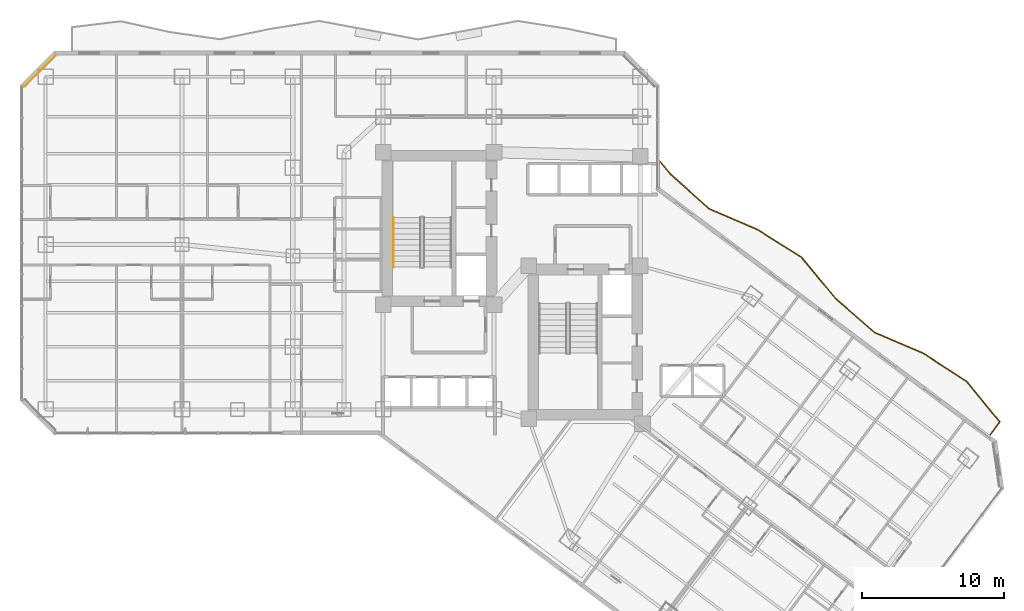
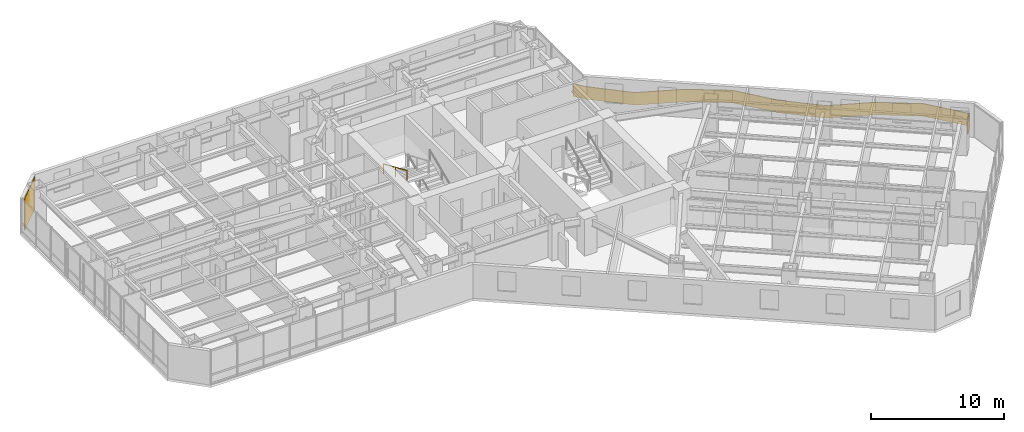
# One storey, part 30 of 32: 2 railings, 1 covering.
"""IFC4 building model written with IfcOpenShell, lengths in metres."""

import ifcopenshell
import ifcopenshell.guid

model = None  # the IFC model being written
_history = None  # IfcOwnerHistory: only IFC2X3 demands one
_inside = {}  # id of a spatial element -> (the spatial element, [elements in it])
_under = {}  # id of a project, library or spatial element -> (it, [spatial elements below it])
_declared = {}  # id of a project -> (the project, [libraries it declares])
_typed = {}  # id of a type object -> (the type object, [elements of that type])
_made_of = {}  # id of a material, layer set ... -> (it, [elements and type objects made of it])


def new_model(schema):
    """Start an empty IFC model of exactly this schema.

    Asked for "IFC4X3", IfcOpenShell would pick the latest addendum, in which some entities
    have other attributes; the version numbers below select the first issue.
    IFC2X3 requires an IfcOwnerHistory on every rooted entity: one is made here for all.
    """
    global model, _history
    if schema == "IFC4X3":
        model = ifcopenshell.file(schema_version=(4, 3, 0, 0))
    else:
        model = ifcopenshell.file(schema=schema)
    _inside.clear()
    _under.clear()
    _declared.clear()
    _typed.clear()
    _made_of.clear()
    _history = None
    if model.schema == "IFC2X3":
        org = make("IfcOrganization", Name="unknown")
        user = make(
            "IfcPersonAndOrganization",
            ThePerson=make("IfcPerson", FamilyName="unknown"),
            TheOrganization=org,
        )
        app = make(
            "IfcApplication",
            ApplicationDeveloper=org,
            Version="unknown",
            ApplicationFullName="unknown",
            ApplicationIdentifier="unknown",
        )
        _history = make(
            "IfcOwnerHistory",
            OwningUser=user,
            OwningApplication=app,
            ChangeAction="ADDED",
            CreationDate=0,
        )
    return model


def make(cls, **values):
    """One entity of the class cls with the attributes given. An attribute that is None is left unset."""
    return model.create_entity(
        cls, **{name: value for name, value in values.items() if value is not None}
    )


def rooted(cls, **values):
    """An entity with a GlobalId (a new one), such as an element, a storey or a relation."""
    return make(cls, GlobalId=ifcopenshell.guid.new(), OwnerHistory=_history, **values)


def si_unit(unit_type, name, prefix=None):
    """IfcSIUnit, for example si_unit("LENGTHUNIT", "METRE", prefix="MILLI")."""
    return make("IfcSIUnit", UnitType=unit_type, Prefix=prefix, Name=name)


def assignment(units):
    """IfcUnitAssignment: the units of a project."""
    return None if units is None else make("IfcUnitAssignment", Units=units)


def point(xyz):
    """IfcCartesianPoint."""
    return None if xyz is None else make("IfcCartesianPoint", Coordinates=xyz)


def direction(xyz):
    """IfcDirection."""
    return None if xyz is None else make("IfcDirection", DirectionRatios=xyz)


def frame(location, z_axis=None, x_axis=None):
    """IfcAxis2Placement3D, a coordinate frame: its origin and axes. An axis left out is left unset."""
    return make(
        "IfcAxis2Placement3D",
        Location=point(location),
        Axis=direction(z_axis),
        RefDirection=direction(x_axis),
    )


def frame_2d(location, x_axis=None):
    """IfcAxis2Placement2D, a coordinate frame in the plane: its origin and x axis."""
    return make(
        "IfcAxis2Placement2D", Location=point(location), RefDirection=direction(x_axis)
    )


def origin():
    """The frame at (0, 0, 0) with its axes left unset."""
    return frame((0.0, 0.0, 0.0))


def origin_2d():
    """The frame at (0, 0) in the plane with its x axis left unset."""
    return frame_2d((0.0, 0.0))


def place(relative_to, where):
    """IfcLocalPlacement: puts the frame where relative to a parent placement (None: the world)."""
    return make(
        "IfcLocalPlacement", PlacementRelTo=relative_to, RelativePlacement=where
    )


def context(
    kind, dimensions, precision=None, world=None, true_north=None, identifier=None
):
    """IfcGeometricRepresentationContext, for example the 3D "Model" context."""
    return make(
        "IfcGeometricRepresentationContext",
        ContextIdentifier=identifier,
        ContextType=kind,
        CoordinateSpaceDimension=dimensions,
        Precision=precision,
        WorldCoordinateSystem=world,
        TrueNorth=true_north,
    )


def subcontext(parent, identifier, kind, view, scale=None):
    """IfcGeometricRepresentationSubContext, for example "Body" below "Model"."""
    return make(
        "IfcGeometricRepresentationSubContext",
        ContextIdentifier=identifier,
        ContextType=kind,
        ParentContext=parent,
        TargetScale=scale,
        TargetView=view,
    )


def project(units=None, contexts=None):
    """IfcProject with its units and contexts."""
    return rooted(
        "IfcProject",
        Name="project",
        RepresentationContexts=contexts,
        UnitsInContext=assignment(units),
    )


def spatial(cls, under=None, at=None, **own):
    """A site, building, storey or space (cls), placed at a placement, below another one or the project."""
    s = rooted(cls, ObjectPlacement=at, **own)
    if under is not None:
        _under.setdefault(under.id(), (under, []))[1].append(s)
    return s


def polyline(points):
    """IfcPolyline through the points."""
    return make("IfcPolyline", Points=[point(p) for p in points])


def profile(cls, at=None, kind="AREA", **sizes):
    """A parametric profile (cls). Its sizes go by their IFC names, for example OverallWidth=200.0."""
    return make(cls, ProfileType=kind, Position=at, **sizes)


def rectangle(**sizes):
    """IfcRectangleProfileDef."""
    return profile("IfcRectangleProfileDef", **sizes)


def circle(**sizes):
    """IfcCircleProfileDef."""
    return profile("IfcCircleProfileDef", **sizes)


def outline(outer, holes=None, kind="AREA"):
    """IfcArbitraryClosedProfileDef: a profile drawn as a closed curve; with holes, ...WithVoids."""
    if holes is None:
        return make("IfcArbitraryClosedProfileDef", ProfileType=kind, OuterCurve=outer)
    return make(
        "IfcArbitraryProfileDefWithVoids",
        ProfileType=kind,
        OuterCurve=outer,
        InnerCurves=holes,
    )


def extrude(swept, where, along, depth):
    """IfcExtrudedAreaSolid: the profile swept, set in the frame where, extruded along a direction by depth."""
    return make(
        "IfcExtrudedAreaSolid",
        SweptArea=swept,
        Position=where,
        ExtrudedDirection=direction(along),
        Depth=depth,
    )


def shape(context_of_items, identifier, shape_type, items):
    """IfcShapeRepresentation: the items that make up one representation, for example the "Body"."""
    return make(
        "IfcShapeRepresentation",
        ContextOfItems=context_of_items,
        RepresentationIdentifier=identifier,
        RepresentationType=shape_type,
        Items=items,
    )


def material(Name=None, Category=None):
    """IfcMaterial."""
    return make("IfcMaterial", Name=Name, Category=Category)


def layer(
    of_material, thickness, ventilated=None, Name=None, Category=None, Priority=None
):
    """IfcMaterialLayer: one layer of a wall or slab, of a material (None: an air gap)."""
    return make(
        "IfcMaterialLayer",
        Material=of_material,
        LayerThickness=thickness,
        IsVentilated=ventilated,
        Name=Name,
        Category=Category,
        Priority=Priority,
    )


def layer_set(layers, Name=None):
    """IfcMaterialLayerSet."""
    return make("IfcMaterialLayerSet", MaterialLayers=layers, LayerSetName=Name)


def made_of(thing, what):
    """Note that an element or type object is made of a material, layer set ...; save() writes the relation."""
    if what is not None:
        _made_of.setdefault(what.id(), (what, []))[1].append(thing)
    return thing


def type_object(cls, material=None, **own):
    """A type object (cls), such as IfcWallType, which elements share."""
    return made_of(rooted(cls, **own), material)


def element(
    cls,
    number,
    at=None,
    inside=None,
    cuts=None,
    type_object=None,
    material=None,
    context=None,
    identifier="Body",
    shape_type=None,
    held_by="IfcProductDefinitionShape",
    body=None,
    shapes=None,
    **own,
):
    """One element of the class cls, such as IfcWall. Its Tag is "e" and its number.

    at: its placement. inside: the storey or other place that contains it. cuts: it is an
    opening in that element (IfcRelVoidsElement). A single representation is given by context,
    identifier, shape_type and body (its items); several are given by shapes. held_by: the class
    of the entity that holds the representations. save() writes the other relations.
    """
    e = rooted(cls, Tag="e%d" % number, ObjectPlacement=at, **own)
    if body is not None:
        shapes = [shape(context, identifier, shape_type, body)]
    if shapes is not None:
        e.Representation = make(held_by, Representations=shapes)
    if inside is not None:
        _inside.setdefault(inside.id(), (inside, []))[1].append(e)
    if cuts is not None:
        rooted(
            "IfcRelVoidsElement", RelatingBuildingElement=cuts, RelatedOpeningElement=e
        )
    if type_object is not None:
        _typed.setdefault(type_object.id(), (type_object, []))[1].append(e)
    return made_of(e, material)


def aggregate(whole, parts):
    """IfcRelAggregates: a whole, such as a stair, and the parts it consists of."""
    return rooted("IfcRelAggregates", RelatingObject=whole, RelatedObjects=parts)


def save(model, path):
    """Write the relations noted so far, then the file.

    IfcRelAggregates (storeys below a building ...), IfcRelContainedInSpatialStructure (elements
    in a storey), IfcRelDefinesByType, IfcRelAssociatesMaterial and IfcRelDeclares: one each for
    every whole, place, type object, material and project.
    """
    for whole, parts in _under.values():
        aggregate(whole, parts)
    for where, things in _inside.values():
        rooted(
            "IfcRelContainedInSpatialStructure",
            RelatedElements=things,
            RelatingStructure=where,
        )
    for kind, things in _typed.values():
        rooted("IfcRelDefinesByType", RelatedObjects=things, RelatingType=kind)
    for what, things in _made_of.values():
        rooted("IfcRelAssociatesMaterial", RelatedObjects=things, RelatingMaterial=what)
    for by, libraries in _declared.values():
        rooted("IfcRelDeclares", RelatingContext=by, RelatedDefinitions=libraries)
    model.write(path)


model = new_model("IFC4")

# Units and contexts
model_context = context("Model", 3, precision=1e-05, world=origin(), true_north=direction((0.0, 1.0)))
body_context = subcontext(model_context, "Body", "Model", "MODEL_VIEW")
ifc_project = project(units=[si_unit("LENGTHUNIT", "METRE"), si_unit("AREAUNIT", "SQUARE_METRE"), si_unit("VOLUMEUNIT", "CUBIC_METRE"), si_unit("PLANEANGLEUNIT", "RADIAN"), si_unit("MASSUNIT", "GRAM", prefix="KILO")], contexts=[model_context])

# Site, building, storey
site_placement = place(None, origin())
site = spatial("IfcSite", under=ifc_project, at=site_placement, CompositionType="ELEMENT")
building_placement = place(site_placement, origin())
building = spatial("IfcBuilding", under=site, at=building_placement, Name="Hatsunagi Terrace Concourse", CompositionType="ELEMENT")
storey_placement = place(building_placement, frame((0.0, 0.0, 36.60009765625)))
storey = spatial("IfcBuildingStorey", under=building, at=storey_placement, Name="L08", CompositionType="ELEMENT", Elevation=36.60009765625)

# Railings
ifc_material_1 = material(Name="Laminated Glass and Stainless Steel Guard", Category="steel")
ifc_layer_1 = layer(ifc_material_1, 0.070068359375)
ifc_layer_set_1 = layer_set([ifc_layer_1], Name="BalconyGlassGuardRail_1150")
railing_type_1 = type_object("IfcRailingType", Name="BalconyGlassGuardRail_1150", PredefinedType="BALUSTRADE", material=ifc_layer_set_1)
railing_1_placement = place(storey_placement, origin())
element("IfcRailing", 1, at=railing_1_placement, inside=storey, type_object=railing_type_1, Name="Engawa Balcony Guard GRD-01 L08-BSE-1", PredefinedType="BALUSTRADE", context=body_context, shape_type="SweptSolid", body=[
    extrude(outline(polyline([(45.072998046875, 42.658447265625), (45.01904296875, 42.613525390625), (45.73779296875, 41.750732421875), (48.462890625, 39.294189453125), (51.898681640625, 37.808837890625), (54.969482421875, 35.88134765625), (57.34375, 33.00341796875), (60.10009765625, 30.587890625), (63.54443359375, 29.115966796875), (66.58447265625, 27.147705078125), (68.903564453125, 24.31396484375), (68.241943359375, 23.430908203125), (68.298095703125, 23.388916015625), (68.992431640625, 24.31591796875), (66.631591796875, 27.200439453125), (63.577392578125, 29.177978515625), (60.137939453125, 30.64794921875), (57.394287109375, 33.052490234375), (55.016357421875, 35.9345703125), (51.931396484375, 37.87109375), (48.501220703125, 39.353759765625), (45.788330078125, 41.79931640625), (45.072998046875, 42.658447265625)])), origin(), (0.0, 0.0, 1.0), 1.14990234375),
])
ifc_material_2 = material(Name="Stainless steel", Category="steel")
ifc_layer_2 = layer(ifc_material_2, 0.044921875)
ifc_layer_set_2 = layer_set([ifc_layer_2], Name="StairPitchHandrail_Tower2000")
railing_type_2 = type_object("IfcRailingType", Name="StairPitchHandrail_Tower2000", PredefinedType="HANDRAIL", material=ifc_layer_set_2)
railing_2_placement = place(storey_placement, frame((26.280029296875, 38.7099609375, 1.84228515625)))
element("IfcRailing", 2, at=railing_2_placement, inside=storey, type_object=railing_type_2, Name="L08 ST-A stair handrail 2", PredefinedType="HANDRAIL", context=body_context, shape_type="SweptSolid", body=[
    extrude(circle(Radius=0.02392578125, at=origin_2d()), frame((0.0, 0.0, 0.8759765625), z_axis=(0.0, -0.918834009242, 0.394644223904), x_axis=(1.0, 0.0, 0.0)), (0.0, 0.0, 1.0), 3.820068359375),
    extrude(circle(Radius=0.02099609375, at=origin_2d()), origin(), (0.0, 0.0, 1.0), 0.851806640625),
    extrude(circle(Radius=0.02099609375, at=origin_2d()), frame((0.0, -1.7548828125, 0.75390625)), (0.0, 0.0, 1.0), 0.851806640625),
    extrude(circle(Radius=0.02099609375, at=origin_2d()), frame((0.0, -3.510009765625, 1.507568359375)), (0.0, 0.0, 1.0), 0.851806640625),
])

# Covering
ifc_material_3 = material(Name="Unglazed Warm Terracotta Rainscreen Tile", Category="masonry")
ifc_layer_3 = layer(ifc_material_3, 0.044921875)
ifc_layer_set_3 = layer_set([ifc_layer_3], Name="TerracottaRainscreenCladding_45")
covering_type = type_object("IfcCoveringType", Name="TerracottaRainscreenCladding_45", PredefinedType="CLADDING", material=ifc_layer_set_3)
covering_placement = place(storey_placement, frame((1.4140625, 48.986083984375, 0.10009765625), z_axis=(0.0, 0.0, 1.0), x_axis=(0.707106781187, 0.707106781187, 0.0)))
element("IfcCovering", 3, at=covering_placement, inside=storey, type_object=covering_type, Name="Terracotta Rainscreen Cladding L08-10", PredefinedType="CLADDING", context=body_context, shape_type="SweptSolid", body=[
    extrude(rectangle(XDim=3.0380859375, YDim=0.044921875, at=origin_2d()), origin(), (0.0, 0.0, 1.0), 2.929931640625),
])

save(model, "model.ifc")
